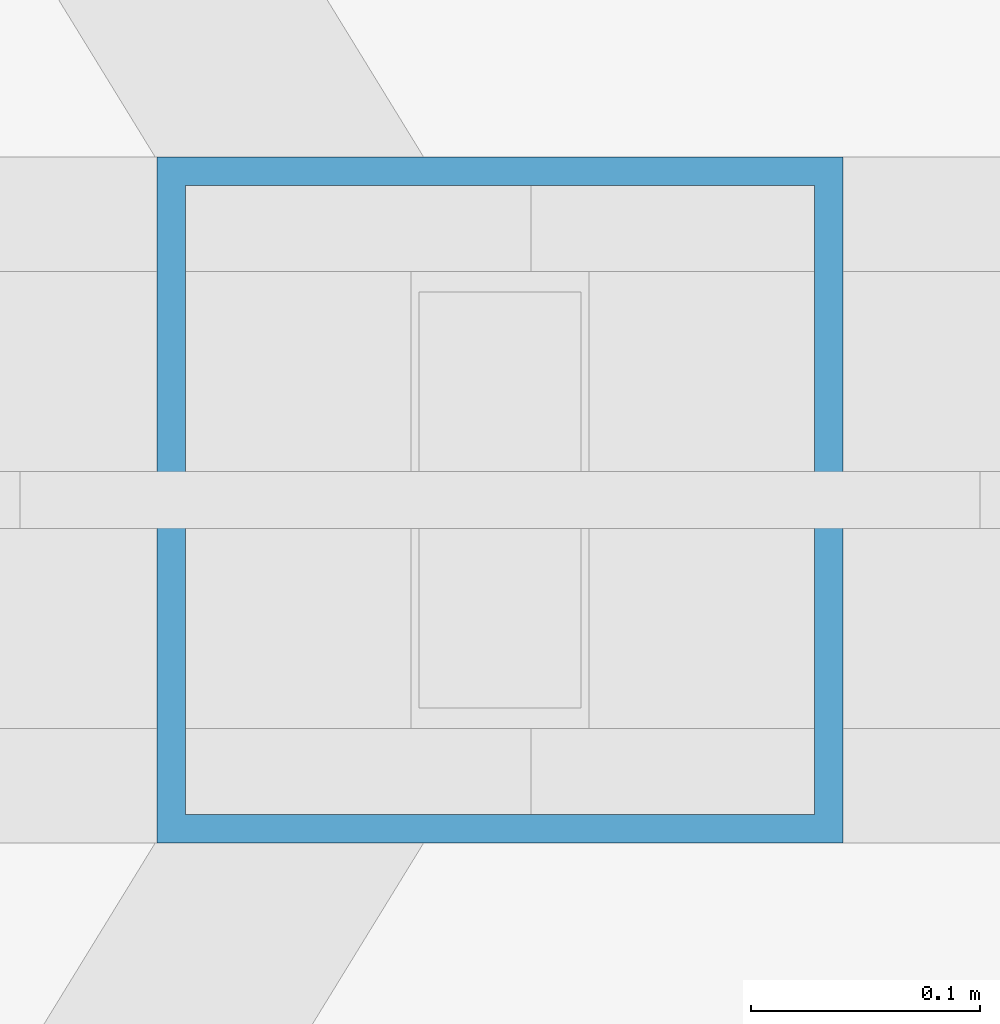
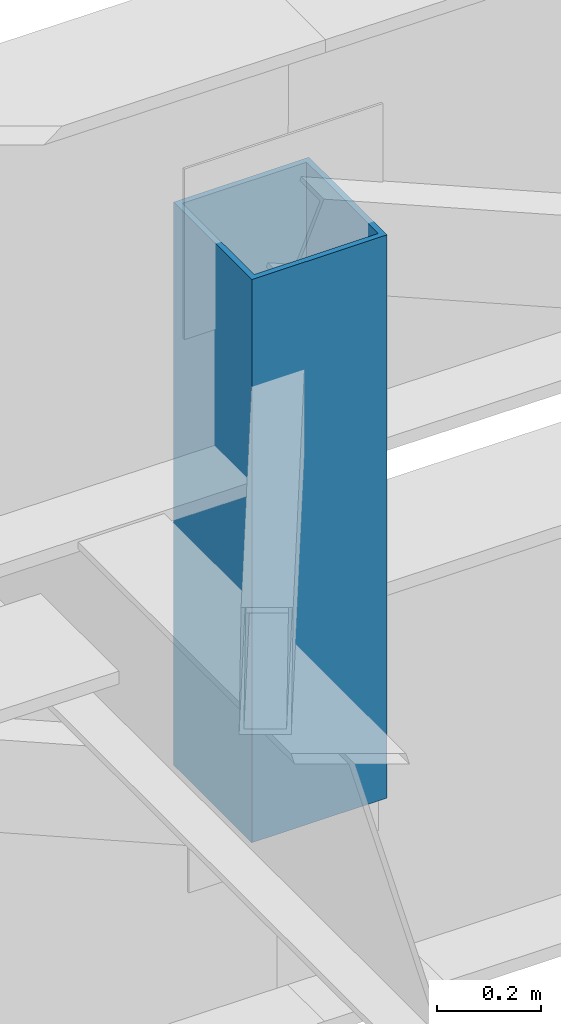
# One storey, part 85 of 184: 1 member.
"""IFC4 building model written with IfcOpenShell, lengths in metres."""

from ifc_helpers import new_model, si_unit, direction, frame, origin, origin_2d, place, context, subcontext, project, spatial, hollow_rectangle, extrude, material, material_profile, profile_set, type_object, element, save


model = new_model("IFC4")

# Units and contexts
model_context = context("Model", 3, precision=1e-05, world=origin(), true_north=direction((0.0, 1.0)))
body_context = subcontext(model_context, "Body", "Model", "MODEL_VIEW")
ifc_project = project(units=[si_unit("LENGTHUNIT", "METRE"), si_unit("AREAUNIT", "SQUARE_METRE"), si_unit("VOLUMEUNIT", "CUBIC_METRE"), si_unit("PLANEANGLEUNIT", "RADIAN"), si_unit("MASSUNIT", "GRAM", prefix="KILO")], contexts=[model_context])

# Site, building, storey
site_placement = place(None, origin())
site = spatial("IfcSite", under=ifc_project, at=site_placement, CompositionType="ELEMENT")
building_placement = place(site_placement, origin())
building = spatial("IfcBuilding", under=site, at=building_placement, Name="Kalgoora Escarpment Arena", CompositionType="ELEMENT")
storey_placement = place(building_placement, frame((0.0, 0.0, 27.60009765625)))
storey = spatial("IfcBuildingStorey", under=building, at=storey_placement, Name="Roof Level", CompositionType="ELEMENT", Elevation=27.60009765625)

# Member
ifc_material = material(Name="Structural steel C450 (450 MPa)", Category="steel")
ifc_material_profile = material_profile(ifc_material, hollow_rectangle(XDim=0.300048828125, YDim=0.300048828125, WallThickness=0.012451171875, at=origin_2d()))
ifc_profile_set = profile_set([ifc_material_profile], Name="Structural steel C450 (450 MPa)")
member_type = type_object("IfcMemberType", Name="MEM-TRUSS-POST", PredefinedType="POST", material=ifc_profile_set)
member_placement = place(storey_placement, frame((124.43994140625, 64.0, -1.630126953125), z_axis=(0.0, 0.0, 1.0), x_axis=(-1.0, 0.0, 0.0)))
element("IfcMember", 1, at=member_placement, inside=storey, type_object=member_type, Name="Radial ROOF TRUSS spine 1 post 5", PredefinedType="POST", context=body_context, shape_type="SweptSolid", body=[
    extrude(hollow_rectangle(XDim=0.300048828125, YDim=0.300048828125, WallThickness=0.012451171875, at=origin_2d()), origin(), (0.0, 0.0, 1.0), 1.320068359375),
])

save(model, "model.ifc")
